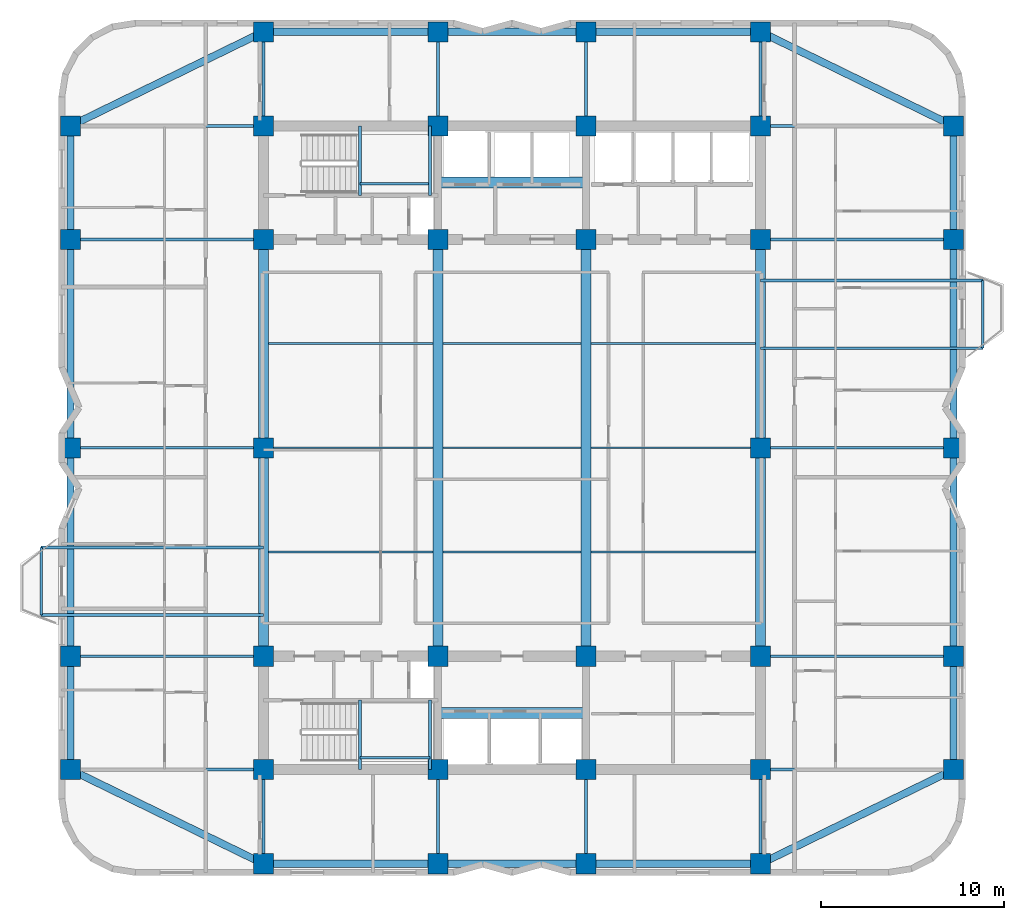
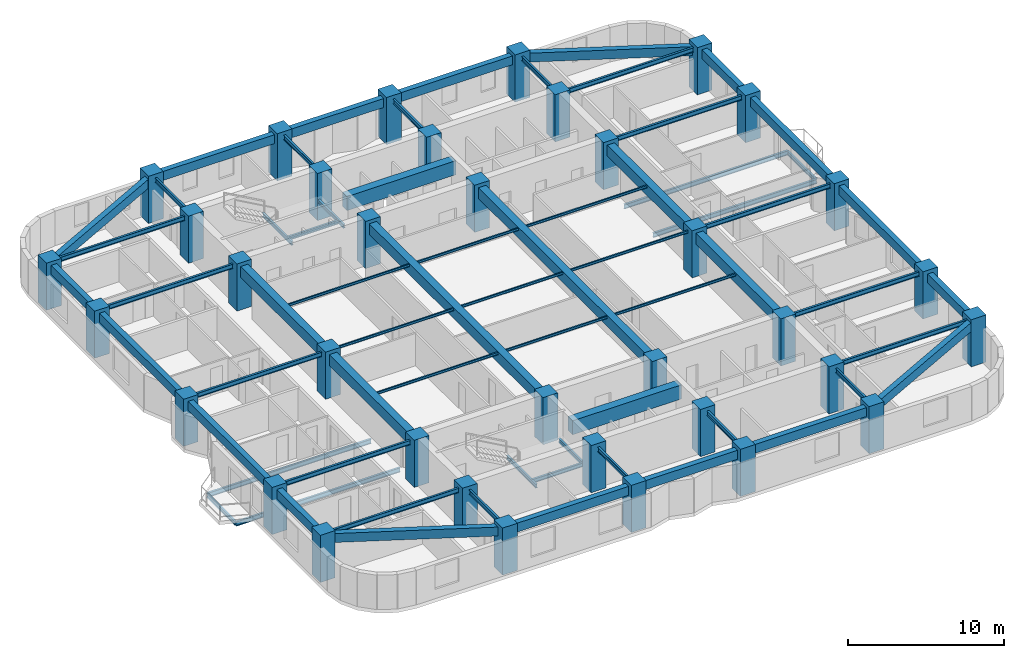
# One storey, part 1 of 9: 65 beams, 36 columns.
"""IFC4 building model written with IfcOpenShell, lengths in metres."""

from ifc_helpers import new_model, si_unit, direction, frame, origin, origin_2d, place, context, subcontext, project, spatial, rectangle, i_section, extrude, material, material_profile, profile_set, type_object, element, save


model = new_model("IFC4")

# Units and contexts
model_context = context("Model", 3, precision=1e-05, world=origin(), true_north=direction((0.0, 1.0)))
body_context = subcontext(model_context, "Body", "Model", "MODEL_VIEW")
ifc_project = project(units=[si_unit("LENGTHUNIT", "METRE"), si_unit("AREAUNIT", "SQUARE_METRE"), si_unit("VOLUMEUNIT", "CUBIC_METRE"), si_unit("PLANEANGLEUNIT", "RADIAN"), si_unit("MASSUNIT", "GRAM", prefix="KILO")], contexts=[model_context])

# Site, building, storey
site_placement = place(None, origin())
site = spatial("IfcSite", under=ifc_project, at=site_placement, CompositionType="ELEMENT")
building_placement = place(site_placement, origin())
building = spatial("IfcBuilding", under=site, at=building_placement, Name="Svetorya Sky Lyceum", CompositionType="ELEMENT")
storey_placement = place(building_placement, frame((0.0, 0.0, 103.10009765625)))
storey = spatial("IfcBuildingStorey", under=building, at=storey_placement, Name="L25", CompositionType="ELEMENT", Elevation=103.10009765625)

# Columns
ifc_material_1 = material(Name="Concrete C50/60", Category="concrete")
ifc_material_profile_1 = material_profile(ifc_material_1, rectangle(XDim=1.10009765625, YDim=1.10009765625, at=origin_2d()), Name="RC COL 1100x1100")
ifc_profile_set_1 = profile_set([ifc_material_profile_1], Name="Concrete C50/60")
column_type = type_object("IfcColumnType", Name="COL-RC-1100", PredefinedType="COLUMN", material=ifc_profile_set_1)
for number, where, z_axis, x_axis, name in (
    (1, (25.60009765625, 10.60009765625, 0.0), (0.0, 0.0, 1.0), (1.0, 0.0, 0.0), "L25 Core Column CS-11"),
    (2, (25.60009765625, 16.800048828125, 0.0), (0.0, 0.0, 1.0), (1.0, 0.0, 0.0), "L25 Core Column CS-12"),
    (3, (35.14990234375, 10.60009765625, 0.0), (0.0, 0.0, 1.0), (1.0, 0.0, 0.0), "L25 Core Column CS-21"),
    (4, (35.14990234375, 16.800048828125, 0.0), (0.0, 0.0, 1.0), (1.0, 0.0, 0.0), "L25 Core Column CS-22"),
    (5, (43.25, 10.60009765625, 0.0), (0.0, 0.0, 1.0), (1.0, 0.0, 0.0), "L25 Core Column CS-31"),
    (6, (43.25, 16.800048828125, 0.0), (0.0, 0.0, 1.0), (1.0, 0.0, 0.0), "L25 Core Column CS-32"),
    (7, (52.800048828125, 10.60009765625, 0.0), (0.0, 0.0, 1.0), (1.0, 0.0, 0.0), "L25 Core Column CS-41"),
    (8, (52.800048828125, 16.800048828125, 0.0), (0.0, 0.0, 1.0), (1.0, 0.0, 0.0), "L25 Core Column CS-42"),
    (9, (25.60009765625, 39.60009765625, 0.0), (0.0, 0.0, 1.0), (1.0, 0.0, 0.0), "L25 Core Column CN-11"),
    (10, (25.60009765625, 45.800048828125, 0.0), (0.0, 0.0, 1.0), (1.0, 0.0, 0.0), "L25 Core Column CN-12"),
    (11, (35.14990234375, 39.60009765625, 0.0), (0.0, 0.0, 1.0), (1.0, 0.0, 0.0), "L25 Core Column CN-21"),
    (12, (35.14990234375, 45.800048828125, 0.0), (0.0, 0.0, 1.0), (1.0, 0.0, 0.0), "L25 Core Column CN-22"),
    (13, (43.25, 39.60009765625, 0.0), (0.0, 0.0, 1.0), (1.0, 0.0, 0.0), "L25 Core Column CN-31"),
    (14, (43.25, 45.800048828125, 0.0), (0.0, 0.0, 1.0), (1.0, 0.0, 0.0), "L25 Core Column CN-32"),
    (15, (52.800048828125, 39.60009765625, 0.0), (0.0, 0.0, 1.0), (1.0, 0.0, 0.0), "L25 Core Column CN-41"),
    (16, (52.800048828125, 45.800048828125, 0.0), (0.0, 0.0, 1.0), (1.0, 0.0, 0.0), "L25 Core Column CN-42"),
    (17, (25.60009765625, 28.199951171875, 0.0), (0.0, 0.0, 1.0), (1.0, 0.0, 0.0), "L25 Core Column CM-W"),
    (18, (52.800048828125, 28.199951171875, 0.0), (0.0, 0.0, 1.0), (1.0, 0.0, 0.0), "L25 Core Column CM-E"),
    (19, (25.60009765625, 5.449951171875, 0.0), (0.0, 0.0, 1.0), (1.0, 0.0, 0.0), "L25 Perimeter Column S1"),
    (20, (25.60009765625, 50.949951171875, 0.0), (0.0, 0.0, 1.0), (1.0, 0.0, 0.0), "L25 Perimeter Column N1"),
    (21, (35.14990234375, 5.449951171875, 0.0), (0.0, 0.0, 1.0), (1.0, 0.0, 0.0), "L25 Perimeter Column S2"),
    (22, (35.14990234375, 50.949951171875, 0.0), (0.0, 0.0, 1.0), (1.0, 0.0, 0.0), "L25 Perimeter Column N2"),
    (23, (43.25, 5.449951171875, 0.0), (0.0, 0.0, 1.0), (1.0, 0.0, 0.0), "L25 Perimeter Column S3"),
    (24, (43.25, 50.949951171875, 0.0), (0.0, 0.0, 1.0), (1.0, 0.0, 0.0), "L25 Perimeter Column N3"),
    (25, (52.800048828125, 5.449951171875, 0.0), (0.0, 0.0, 1.0), (1.0, 0.0, 0.0), "L25 Perimeter Column S4"),
    (26, (52.800048828125, 50.949951171875, 0.0), (0.0, 0.0, 1.0), (1.0, 0.0, 0.0), "L25 Perimeter Column N4"),
    (27, (15.050048828125, 10.60009765625, 0.0), (0.0, 0.0, 1.0), (1.0, 0.0, 0.0), "L25 Perimeter Column W1"),
    (28, (63.35009765625, 10.60009765625, 0.0), (0.0, 0.0, 1.0), (1.0, 0.0, 0.0), "L25 Perimeter Column E1"),
    (29, (15.050048828125, 16.800048828125, 0.0), (0.0, 0.0, 1.0), (1.0, 0.0, 0.0), "L25 Perimeter Column W2"),
    (30, (63.35009765625, 16.800048828125, 0.0), (0.0, 0.0, 1.0), (1.0, 0.0, 0.0), "L25 Perimeter Column E2"),
    (31, (15.050048828125, 28.199951171875, 0.0), (0.0, 0.0, 1.0), (1.0, 0.0, 0.0), "L25 Perimeter Column W3"),
    (32, (63.35009765625, 28.199951171875, 0.0), (0.0, 0.0, 1.0), (1.0, 0.0, 0.0), "L25 Perimeter Column E3"),
    (33, (15.050048828125, 39.60009765625, 0.0), (0.0, 0.0, 1.0), (1.0, 0.0, 0.0), "L25 Perimeter Column W4"),
    (34, (63.35009765625, 39.60009765625, 0.0), (0.0, 0.0, 1.0), (1.0, 0.0, 0.0), "L25 Perimeter Column E4"),
    (35, (15.050048828125, 45.800048828125, 0.0), (0.0, 0.0, 1.0), (1.0, 0.0, 0.0), "L25 Perimeter Column W5"),
    (36, (63.35009765625, 45.800048828125, 0.0), (0.0, 0.0, 1.0), (1.0, 0.0, 0.0), "L25 Perimeter Column E5"),
):
    element("IfcColumn", number, at=place(storey_placement, frame(where, z_axis=z_axis, x_axis=x_axis)), inside=storey, type_object=column_type, Name=name, PredefinedType="COLUMN", context=body_context, shape_type="SweptSolid", body=[
        extrude(rectangle(XDim=1.10009765625, YDim=1.10009765625, at=origin_2d()), origin(), (0.0, 0.0, 1.0), 3.699951171875),
    ])

# Beams
ifc_material_2 = material(Name="Concrete C60/75", Category="concrete")
ifc_material_profile_2 = material_profile(ifc_material_2, rectangle(XDim=0.60009765625, YDim=1.10009765625, at=origin_2d()), Name="RC COUPLING 600x1100")
ifc_profile_set_2 = profile_set([ifc_material_profile_2], Name="Concrete C60/75")
beam_type_1 = type_object("IfcBeamType", Name="BM-CPL-1100", PredefinedType="LINTEL", material=ifc_profile_set_2)
for number, where, z_axis, x_axis, name in (
    (37, (35.14990234375, 13.699951171875, 2.869873046875), (1.0, 0.0, 0.0), (0.0, 1.0, 0.0), "L25 SC Core Coupling Beam"),
    (38, (35.14990234375, 42.699951171875, 2.869873046875), (1.0, 0.0, 0.0), (0.0, 1.0, 0.0), "L25 NC Core Coupling Beam"),
):
    element("IfcBeam", number, at=place(storey_placement, frame(where, z_axis=z_axis, x_axis=x_axis)), inside=storey, type_object=beam_type_1, Name=name, PredefinedType="LINTEL", context=body_context, shape_type="SweptSolid", body=[
        extrude(rectangle(XDim=0.60009765625, YDim=1.10009765625, at=origin_2d()), origin(), (0.0, 0.0, 1.0), 8.10009765625),
    ])
ifc_material_profile_3 = material_profile(ifc_material_1, rectangle(XDim=0.550048828125, YDim=0.85009765625, at=origin_2d()), Name="RC BEAM 550x850")
ifc_profile_set_3 = profile_set([ifc_material_profile_3], Name="Concrete C50/60")
beam_type_2 = type_object("IfcBeamType", Name="BM-RC-850", PredefinedType="BEAM", material=ifc_profile_set_3)
beam_1_placement = place(storey_placement, frame((25.60009765625, 16.800048828125, 2.994873046875), z_axis=(0.0, 1.0, 0.0), x_axis=(-1.0, 0.0, 0.0)))
element("IfcBeam", 39, at=beam_1_placement, inside=storey, type_object=beam_type_2, Name="L25 Central Bay Primary Girder CG-1A", PredefinedType="BEAM", context=body_context, shape_type="SweptSolid", body=[
    extrude(rectangle(XDim=0.550048828125, YDim=0.85009765625, at=origin_2d()), origin(), (0.0, 0.0, 1.0), 11.39990234375),
])
beam_2_placement = place(storey_placement, frame((25.60009765625, 28.199951171875, 2.994873046875), z_axis=(0.0, 1.0, 0.0), x_axis=(-1.0, 0.0, 0.0)))
element("IfcBeam", 40, at=beam_2_placement, inside=storey, type_object=beam_type_2, Name="L25 Central Bay Primary Girder CG-1B", PredefinedType="BEAM", context=body_context, shape_type="SweptSolid", body=[
    extrude(rectangle(XDim=0.550048828125, YDim=0.85009765625, at=origin_2d()), origin(), (0.0, 0.0, 1.0), 11.400146484375),
])
for number, where, z_axis, x_axis, name in (
    (41, (35.14990234375, 16.800048828125, 2.994873046875), (0.0, 1.0, 0.0), (-1.0, 0.0, 0.0), "L25 Central Bay Primary Girder CG-2"),
    (42, (43.25, 16.800048828125, 2.994873046875), (0.0, 1.0, 0.0), (-1.0, 0.0, 0.0), "L25 Central Bay Primary Girder CG-3"),
):
    element("IfcBeam", number, at=place(storey_placement, frame(where, z_axis=z_axis, x_axis=x_axis)), inside=storey, type_object=beam_type_2, Name=name, PredefinedType="BEAM", context=body_context, shape_type="SweptSolid", body=[
        extrude(rectangle(XDim=0.550048828125, YDim=0.85009765625, at=origin_2d()), origin(), (0.0, 0.0, 1.0), 22.800048828125),
    ])
beam_3_placement = place(storey_placement, frame((52.800048828125, 16.800048828125, 2.994873046875), z_axis=(0.0, 1.0, 0.0), x_axis=(-1.0, 0.0, 0.0)))
element("IfcBeam", 43, at=beam_3_placement, inside=storey, type_object=beam_type_2, Name="L25 Central Bay Primary Girder CG-4A", PredefinedType="BEAM", context=body_context, shape_type="SweptSolid", body=[
    extrude(rectangle(XDim=0.550048828125, YDim=0.85009765625, at=origin_2d()), origin(), (0.0, 0.0, 1.0), 11.39990234375),
])
beam_4_placement = place(storey_placement, frame((52.800048828125, 28.199951171875, 2.994873046875), z_axis=(0.0, 1.0, 0.0), x_axis=(-1.0, 0.0, 0.0)))
element("IfcBeam", 44, at=beam_4_placement, inside=storey, type_object=beam_type_2, Name="L25 Central Bay Primary Girder CG-4B", PredefinedType="BEAM", context=body_context, shape_type="SweptSolid", body=[
    extrude(rectangle(XDim=0.550048828125, YDim=0.85009765625, at=origin_2d()), origin(), (0.0, 0.0, 1.0), 11.400146484375),
])
ifc_material_profile_4 = material_profile(ifc_material_1, rectangle(XDim=0.39990234375, YDim=0.699951171875, at=origin_2d()), Name="RC SPANDREL 400x700")
ifc_profile_set_4 = profile_set([ifc_material_profile_4], Name="Concrete C50/60")
beam_type_3 = type_object("IfcBeamType", Name="BM-SPN-700", PredefinedType="SPANDREL", material=ifc_profile_set_4)
beam_5_placement = place(storey_placement, frame((25.60009765625, 5.449951171875, 3.06982421875), z_axis=(1.0, 0.0, 0.0), x_axis=(0.0, 1.0, 0.0)))
element("IfcBeam", 45, at=beam_5_placement, inside=storey, type_object=beam_type_3, Name="L25 South Spandrel 1", PredefinedType="SPANDREL", context=body_context, shape_type="SweptSolid", body=[
    extrude(rectangle(XDim=0.39990234375, YDim=0.699951171875, at=origin_2d()), origin(), (0.0, 0.0, 1.0), 9.5498046875),
])
beam_6_placement = place(storey_placement, frame((35.14990234375, 5.449951171875, 3.06982421875), z_axis=(1.0, 0.0, 0.0), x_axis=(0.0, 1.0, 0.0)))
element("IfcBeam", 46, at=beam_6_placement, inside=storey, type_object=beam_type_3, Name="L25 South Spandrel 2", PredefinedType="SPANDREL", context=body_context, shape_type="SweptSolid", body=[
    extrude(rectangle(XDim=0.39990234375, YDim=0.699951171875, at=origin_2d()), origin(), (0.0, 0.0, 1.0), 8.10009765625),
])
beam_7_placement = place(storey_placement, frame((43.25, 5.449951171875, 3.06982421875), z_axis=(1.0, 0.0, 0.0), x_axis=(0.0, 1.0, 0.0)))
element("IfcBeam", 47, at=beam_7_placement, inside=storey, type_object=beam_type_3, Name="L25 South Spandrel 3", PredefinedType="SPANDREL", context=body_context, shape_type="SweptSolid", body=[
    extrude(rectangle(XDim=0.39990234375, YDim=0.699951171875, at=origin_2d()), origin(), (0.0, 0.0, 1.0), 9.550048828125),
])
beam_8_placement = place(storey_placement, frame((25.60009765625, 50.949951171875, 3.06982421875), z_axis=(1.0, 0.0, 0.0), x_axis=(0.0, 1.0, 0.0)))
element("IfcBeam", 48, at=beam_8_placement, inside=storey, type_object=beam_type_3, Name="L25 North Spandrel 1", PredefinedType="SPANDREL", context=body_context, shape_type="SweptSolid", body=[
    extrude(rectangle(XDim=0.39990234375, YDim=0.699951171875, at=origin_2d()), origin(), (0.0, 0.0, 1.0), 9.5498046875),
])
beam_9_placement = place(storey_placement, frame((35.14990234375, 50.949951171875, 3.06982421875), z_axis=(1.0, 0.0, 0.0), x_axis=(0.0, 1.0, 0.0)))
element("IfcBeam", 49, at=beam_9_placement, inside=storey, type_object=beam_type_3, Name="L25 North Spandrel 2", PredefinedType="SPANDREL", context=body_context, shape_type="SweptSolid", body=[
    extrude(rectangle(XDim=0.39990234375, YDim=0.699951171875, at=origin_2d()), origin(), (0.0, 0.0, 1.0), 8.10009765625),
])
beam_10_placement = place(storey_placement, frame((43.25, 50.949951171875, 3.06982421875), z_axis=(1.0, 0.0, 0.0), x_axis=(0.0, 1.0, 0.0)))
element("IfcBeam", 50, at=beam_10_placement, inside=storey, type_object=beam_type_3, Name="L25 North Spandrel 3", PredefinedType="SPANDREL", context=body_context, shape_type="SweptSolid", body=[
    extrude(rectangle(XDim=0.39990234375, YDim=0.699951171875, at=origin_2d()), origin(), (0.0, 0.0, 1.0), 9.550048828125),
])
for number, where, z_axis, x_axis, name in (
    (51, (25.60009765625, 5.449951171875, 3.06982421875), (-0.898641495694, 0.438683783854, 0.0), (-0.438683783854, -0.898641495694, 0.0), "L25 Corner Spandrel 1"),
    (52, (52.800048828125, 5.449951171875, 3.06982421875), (0.898641495694, 0.438683783854, 0.0), (-0.438683783854, 0.898641495694, 0.0), "L25 Corner Spandrel 2"),
    (53, (63.35009765625, 45.800048828125, 3.06982421875), (-0.898649693653, 0.438666989978, 0.0), (-0.438666989978, -0.898649693653, 0.0), "L25 Corner Spandrel 3"),
    (54, (15.050048828125, 45.800048828125, 3.06982421875), (0.898649693653, 0.438666989978, 0.0), (-0.438666989978, 0.898649693653, 0.0), "L25 Corner Spandrel 4"),
):
    element("IfcBeam", number, at=place(storey_placement, frame(where, z_axis=z_axis, x_axis=x_axis)), inside=storey, type_object=beam_type_3, Name=name, PredefinedType="SPANDREL", context=body_context, shape_type="SweptSolid", body=[
        extrude(rectangle(XDim=0.39990234375, YDim=0.699951171875, at=origin_2d()), origin(), (0.0, 0.0, 1.0), 11.739990234375),
    ])
beam_11_placement = place(storey_placement, frame((15.050048828125, 10.60009765625, 3.06982421875), z_axis=(0.0, 1.0, 0.0), x_axis=(-1.0, 0.0, 0.0)))
element("IfcBeam", 55, at=beam_11_placement, inside=storey, type_object=beam_type_3, Name="L25 West Spandrel 1", PredefinedType="SPANDREL", context=body_context, shape_type="SweptSolid", body=[
    extrude(rectangle(XDim=0.39990234375, YDim=0.699951171875, at=origin_2d()), origin(), (0.0, 0.0, 1.0), 6.199951171875),
])
beam_12_placement = place(storey_placement, frame((15.050048828125, 16.800048828125, 3.06982421875), z_axis=(0.0, 1.0, 0.0), x_axis=(-1.0, 0.0, 0.0)))
element("IfcBeam", 56, at=beam_12_placement, inside=storey, type_object=beam_type_3, Name="L25 West Spandrel 2", PredefinedType="SPANDREL", context=body_context, shape_type="SweptSolid", body=[
    extrude(rectangle(XDim=0.39990234375, YDim=0.699951171875, at=origin_2d()), origin(), (0.0, 0.0, 1.0), 11.39990234375),
])
beam_13_placement = place(storey_placement, frame((15.050048828125, 28.199951171875, 3.06982421875), z_axis=(0.0, 1.0, 0.0), x_axis=(-1.0, 0.0, 0.0)))
element("IfcBeam", 57, at=beam_13_placement, inside=storey, type_object=beam_type_3, Name="L25 West Spandrel 3", PredefinedType="SPANDREL", context=body_context, shape_type="SweptSolid", body=[
    extrude(rectangle(XDim=0.39990234375, YDim=0.699951171875, at=origin_2d()), origin(), (0.0, 0.0, 1.0), 11.400146484375),
])
for number, where, z_axis, x_axis, name in (
    (58, (15.050048828125, 39.60009765625, 3.06982421875), (0.0, 1.0, 0.0), (-1.0, 0.0, 0.0), "L25 West Spandrel 4"),
    (59, (63.35009765625, 10.60009765625, 3.06982421875), (0.0, 1.0, 0.0), (-1.0, 0.0, 0.0), "L25 East Spandrel 1"),
):
    element("IfcBeam", number, at=place(storey_placement, frame(where, z_axis=z_axis, x_axis=x_axis)), inside=storey, type_object=beam_type_3, Name=name, PredefinedType="SPANDREL", context=body_context, shape_type="SweptSolid", body=[
        extrude(rectangle(XDim=0.39990234375, YDim=0.699951171875, at=origin_2d()), origin(), (0.0, 0.0, 1.0), 6.199951171875),
    ])
beam_14_placement = place(storey_placement, frame((63.35009765625, 16.800048828125, 3.06982421875), z_axis=(0.0, 1.0, 0.0), x_axis=(-1.0, 0.0, 0.0)))
element("IfcBeam", 60, at=beam_14_placement, inside=storey, type_object=beam_type_3, Name="L25 East Spandrel 2", PredefinedType="SPANDREL", context=body_context, shape_type="SweptSolid", body=[
    extrude(rectangle(XDim=0.39990234375, YDim=0.699951171875, at=origin_2d()), origin(), (0.0, 0.0, 1.0), 11.39990234375),
])
beam_15_placement = place(storey_placement, frame((63.35009765625, 28.199951171875, 3.06982421875), z_axis=(0.0, 1.0, 0.0), x_axis=(-1.0, 0.0, 0.0)))
element("IfcBeam", 61, at=beam_15_placement, inside=storey, type_object=beam_type_3, Name="L25 East Spandrel 3", PredefinedType="SPANDREL", context=body_context, shape_type="SweptSolid", body=[
    extrude(rectangle(XDim=0.39990234375, YDim=0.699951171875, at=origin_2d()), origin(), (0.0, 0.0, 1.0), 11.400146484375),
])
beam_16_placement = place(storey_placement, frame((63.35009765625, 39.60009765625, 3.06982421875), z_axis=(0.0, 1.0, 0.0), x_axis=(-1.0, 0.0, 0.0)))
element("IfcBeam", 62, at=beam_16_placement, inside=storey, type_object=beam_type_3, Name="L25 East Spandrel 4", PredefinedType="SPANDREL", context=body_context, shape_type="SweptSolid", body=[
    extrude(rectangle(XDim=0.39990234375, YDim=0.699951171875, at=origin_2d()), origin(), (0.0, 0.0, 1.0), 6.199951171875),
])
ifc_material_3 = material(Name="Steel S355", Category="steel")
ifc_material_profile_5 = material_profile(ifc_material_3, i_section(OverallWidth=0.10009765625, OverallDepth=0.199951171875, WebThickness=0.005615234375, FlangeThickness=0.008544921875, at=origin_2d()), Name="GOST 20B1")
ifc_profile_set_5 = profile_set([ifc_material_profile_5], Name="Steel S355")
beam_type_4 = type_object("IfcBeamType", Name="BM-STL-20B1", PredefinedType="JOIST", material=ifc_profile_set_5)
beam_17_placement = place(storey_placement, frame((25.875, 22.5, 3.31982421875), z_axis=(1.0, 0.0, 0.0), x_axis=(0.0, 1.0, 0.0)))
element("IfcBeam", 63, at=beam_17_placement, inside=storey, type_object=beam_type_4, Name="L25 Central Floor Joist CJ-1.1", PredefinedType="JOIST", context=body_context, shape_type="SweptSolid", body=[
    extrude(i_section(OverallWidth=0.10009765625, OverallDepth=0.199951171875, WebThickness=0.005615234375, FlangeThickness=0.008544921875, at=origin_2d()), origin(), (0.0, 0.0, 1.0), 9.0),
])
beam_18_placement = place(storey_placement, frame((35.425048828125, 22.5, 3.31982421875), z_axis=(1.0, 0.0, 0.0), x_axis=(0.0, 1.0, 0.0)))
element("IfcBeam", 64, at=beam_18_placement, inside=storey, type_object=beam_type_4, Name="L25 Central Floor Joist CJ-1.2", PredefinedType="JOIST", context=body_context, shape_type="SweptSolid", body=[
    extrude(i_section(OverallWidth=0.10009765625, OverallDepth=0.199951171875, WebThickness=0.005615234375, FlangeThickness=0.008544921875, at=origin_2d()), origin(), (0.0, 0.0, 1.0), 7.550048828125),
])
for number, where, z_axis, x_axis, name in (
    (65, (43.52490234375, 22.5, 3.31982421875), (1.0, 0.0, 0.0), (0.0, 1.0, 0.0), "L25 Central Floor Joist CJ-1.3"),
    (66, (25.875, 28.199951171875, 3.31982421875), (1.0, 0.0, 0.0), (0.0, 1.0, 0.0), "L25 Central Floor Joist CJ-2.1"),
):
    element("IfcBeam", number, at=place(storey_placement, frame(where, z_axis=z_axis, x_axis=x_axis)), inside=storey, type_object=beam_type_4, Name=name, PredefinedType="JOIST", context=body_context, shape_type="SweptSolid", body=[
        extrude(i_section(OverallWidth=0.10009765625, OverallDepth=0.199951171875, WebThickness=0.005615234375, FlangeThickness=0.008544921875, at=origin_2d()), origin(), (0.0, 0.0, 1.0), 9.0),
    ])
beam_19_placement = place(storey_placement, frame((35.425048828125, 28.199951171875, 3.31982421875), z_axis=(1.0, 0.0, 0.0), x_axis=(0.0, 1.0, 0.0)))
element("IfcBeam", 67, at=beam_19_placement, inside=storey, type_object=beam_type_4, Name="L25 Central Floor Joist CJ-2.2", PredefinedType="JOIST", context=body_context, shape_type="SweptSolid", body=[
    extrude(i_section(OverallWidth=0.10009765625, OverallDepth=0.199951171875, WebThickness=0.005615234375, FlangeThickness=0.008544921875, at=origin_2d()), origin(), (0.0, 0.0, 1.0), 7.550048828125),
])
for number, where, z_axis, x_axis, name in (
    (68, (43.52490234375, 28.199951171875, 3.31982421875), (1.0, 0.0, 0.0), (0.0, 1.0, 0.0), "L25 Central Floor Joist CJ-2.3"),
    (69, (25.875, 33.89990234375, 3.31982421875), (1.0, 0.0, 0.0), (0.0, 1.0, 0.0), "L25 Central Floor Joist CJ-3.1"),
):
    element("IfcBeam", number, at=place(storey_placement, frame(where, z_axis=z_axis, x_axis=x_axis)), inside=storey, type_object=beam_type_4, Name=name, PredefinedType="JOIST", context=body_context, shape_type="SweptSolid", body=[
        extrude(i_section(OverallWidth=0.10009765625, OverallDepth=0.199951171875, WebThickness=0.005615234375, FlangeThickness=0.008544921875, at=origin_2d()), origin(), (0.0, 0.0, 1.0), 9.0),
    ])
beam_20_placement = place(storey_placement, frame((35.425048828125, 33.89990234375, 3.31982421875), z_axis=(1.0, 0.0, 0.0), x_axis=(0.0, 1.0, 0.0)))
element("IfcBeam", 70, at=beam_20_placement, inside=storey, type_object=beam_type_4, Name="L25 Central Floor Joist CJ-3.2", PredefinedType="JOIST", context=body_context, shape_type="SweptSolid", body=[
    extrude(i_section(OverallWidth=0.10009765625, OverallDepth=0.199951171875, WebThickness=0.005615234375, FlangeThickness=0.008544921875, at=origin_2d()), origin(), (0.0, 0.0, 1.0), 7.550048828125),
])
beam_21_placement = place(storey_placement, frame((43.52490234375, 33.89990234375, 3.31982421875), z_axis=(1.0, 0.0, 0.0), x_axis=(0.0, 1.0, 0.0)))
element("IfcBeam", 71, at=beam_21_placement, inside=storey, type_object=beam_type_4, Name="L25 Central Floor Joist CJ-3.3", PredefinedType="JOIST", context=body_context, shape_type="SweptSolid", body=[
    extrude(i_section(OverallWidth=0.10009765625, OverallDepth=0.199951171875, WebThickness=0.005615234375, FlangeThickness=0.008544921875, at=origin_2d()), origin(), (0.0, 0.0, 1.0), 9.0),
])
ifc_material_profile_6 = material_profile(ifc_material_3, i_section(OverallWidth=0.14990234375, OverallDepth=0.299072265625, WebThickness=0.006591796875, FlangeThickness=0.010498046875, at=origin_2d()), Name="GOST 30B2")
ifc_profile_set_6 = profile_set([ifc_material_profile_6], Name="Steel S355")
beam_type_5 = type_object("IfcBeamType", Name="BM-STL-30B2", PredefinedType="JOIST", material=ifc_profile_set_6)
beam_22_placement = place(storey_placement, frame((13.449951171875, 19.050048828125, -0.45458984375), z_axis=(0.0, 1.0, 0.0), x_axis=(-1.0, 0.0, 0.0)))
element("IfcBeam", 72, at=beam_22_placement, inside=storey, type_object=beam_type_5, Name="L25 Balcony Edge Tie BAL-W1", PredefinedType="JOIST", context=body_context, shape_type="SweptSolid", body=[
    extrude(i_section(OverallWidth=0.14990234375, OverallDepth=0.299072265625, WebThickness=0.006591796875, FlangeThickness=0.010498046875, at=origin_2d()), origin(), (0.0, 0.0, 1.0), 3.699951171875),
])
beam_23_placement = place(storey_placement, frame((64.949951171875, 33.64990234375, -0.45458984375), z_axis=(0.0, 1.0, 0.0), x_axis=(-1.0, 0.0, 0.0)))
element("IfcBeam", 73, at=beam_23_placement, inside=storey, type_object=beam_type_5, Name="L25 Balcony Edge Tie BAL-E1", PredefinedType="JOIST", context=body_context, shape_type="SweptSolid", body=[
    extrude(i_section(OverallWidth=0.14990234375, OverallDepth=0.299072265625, WebThickness=0.006591796875, FlangeThickness=0.010498046875, at=origin_2d()), origin(), (0.0, 0.0, 1.0), 3.7001953125),
])
for number, where, z_axis, x_axis, name in (
    (74, (30.8798828125, 10.60009765625, 1.50048828125), (0.0, 1.0, 0.0), (-1.0, 0.0, 0.0), "L25 Stair ST-S Half-Landing Support Beam 29.1"),
    (75, (34.719970703125, 10.60009765625, 1.50048828125), (0.0, 1.0, 0.0), (-1.0, 0.0, 0.0), "L25 Stair ST-S Half-Landing Support Beam 29.2"),
):
    element("IfcBeam", number, at=place(storey_placement, frame(where, z_axis=z_axis, x_axis=x_axis)), inside=storey, type_object=beam_type_5, Name=name, PredefinedType="JOIST", context=body_context, shape_type="SweptSolid", body=[
        extrude(i_section(OverallWidth=0.14990234375, OverallDepth=0.299072265625, WebThickness=0.006591796875, FlangeThickness=0.010498046875, at=origin_2d()), origin(), (0.0, 0.0, 1.0), 3.7998046875),
    ])
beam_24_placement = place(storey_placement, frame((30.8798828125, 11.25, 1.50048828125), z_axis=(1.0, 0.0, 0.0), x_axis=(0.0, 1.0, 0.0)))
element("IfcBeam", 76, at=beam_24_placement, inside=storey, type_object=beam_type_5, Name="L25 Stair ST-S Half-Landing Cross Tie 29", PredefinedType="JOIST", context=body_context, shape_type="SweptSolid", body=[
    extrude(i_section(OverallWidth=0.14990234375, OverallDepth=0.299072265625, WebThickness=0.006591796875, FlangeThickness=0.010498046875, at=origin_2d()), origin(), (0.0, 0.0, 1.0), 3.840087890625),
])
for number, where, z_axis, x_axis, name in (
    (77, (30.8798828125, 42.0, 1.50048828125), (0.0, 1.0, 0.0), (-1.0, 0.0, 0.0), "L25 Stair ST-N Half-Landing Support Beam 29.1"),
    (78, (34.719970703125, 42.0, 1.50048828125), (0.0, 1.0, 0.0), (-1.0, 0.0, 0.0), "L25 Stair ST-N Half-Landing Support Beam 29.2"),
):
    element("IfcBeam", number, at=place(storey_placement, frame(where, z_axis=z_axis, x_axis=x_axis)), inside=storey, type_object=beam_type_5, Name=name, PredefinedType="JOIST", context=body_context, shape_type="SweptSolid", body=[
        extrude(i_section(OverallWidth=0.14990234375, OverallDepth=0.299072265625, WebThickness=0.006591796875, FlangeThickness=0.010498046875, at=origin_2d()), origin(), (0.0, 0.0, 1.0), 3.800048828125),
    ])
beam_25_placement = place(storey_placement, frame((30.8798828125, 42.64990234375, 1.50048828125), z_axis=(1.0, 0.0, 0.0), x_axis=(0.0, 1.0, 0.0)))
element("IfcBeam", 79, at=beam_25_placement, inside=storey, type_object=beam_type_5, Name="L25 Stair ST-N Half-Landing Cross Tie 29", PredefinedType="JOIST", context=body_context, shape_type="SweptSolid", body=[
    extrude(i_section(OverallWidth=0.14990234375, OverallDepth=0.299072265625, WebThickness=0.006591796875, FlangeThickness=0.010498046875, at=origin_2d()), origin(), (0.0, 0.0, 1.0), 3.840087890625),
])
ifc_material_profile_7 = material_profile(ifc_material_3, i_section(OverallWidth=0.155029296875, OverallDepth=0.34912109375, WebThickness=0.007080078125, FlangeThickness=0.011474609375, at=origin_2d()), Name="GOST 35B2")
ifc_profile_set_7 = profile_set([ifc_material_profile_7], Name="Steel S355")
beam_type_6 = type_object("IfcBeamType", Name="BM-STL-35B2", PredefinedType="JOIST", material=ifc_profile_set_7)
for number, where, z_axis, x_axis, name in (
    (80, (25.60009765625, 19.050048828125, -0.45458984375), (-1.0, 0.0, 0.0), (0.0, -1.0, 0.0), "L25 Balcony Cantilever Beam BAL-W1-1"),
    (81, (25.60009765625, 22.75, -0.45458984375), (-1.0, 0.0, 0.0), (0.0, -1.0, 0.0), "L25 Balcony Cantilever Beam BAL-W1-2"),
):
    element("IfcBeam", number, at=place(storey_placement, frame(where, z_axis=z_axis, x_axis=x_axis)), inside=storey, type_object=beam_type_6, Name=name, PredefinedType="JOIST", context=body_context, shape_type="SweptSolid", body=[
        extrude(i_section(OverallWidth=0.155029296875, OverallDepth=0.34912109375, WebThickness=0.007080078125, FlangeThickness=0.011474609375, at=origin_2d()), origin(), (0.0, 0.0, 1.0), 12.150146484375),
    ])
for number, where, z_axis, x_axis, name in (
    (82, (52.800048828125, 33.64990234375, -0.45458984375), (1.0, 0.0, 0.0), (0.0, 1.0, 0.0), "L25 Balcony Cantilever Beam BAL-E1-1"),
    (83, (52.800048828125, 37.35009765625, -0.45458984375), (1.0, 0.0, 0.0), (0.0, 1.0, 0.0), "L25 Balcony Cantilever Beam BAL-E1-2"),
):
    element("IfcBeam", number, at=place(storey_placement, frame(where, z_axis=z_axis, x_axis=x_axis)), inside=storey, type_object=beam_type_6, Name=name, PredefinedType="JOIST", context=body_context, shape_type="SweptSolid", body=[
        extrude(i_section(OverallWidth=0.155029296875, OverallDepth=0.34912109375, WebThickness=0.007080078125, FlangeThickness=0.011474609375, at=origin_2d()), origin(), (0.0, 0.0, 1.0), 12.14990234375),
    ])
for number, where, z_axis, x_axis, name in (
    (84, (15.050048828125, 10.60009765625, 3.245361328125), (1.0, 0.0, 0.0), (0.0, 1.0, 0.0), "L25 West Wing Floor Joist W1"),
    (85, (52.800048828125, 10.60009765625, 3.245361328125), (1.0, 0.0, 0.0), (0.0, 1.0, 0.0), "L25 East Wing Floor Joist E1"),
    (86, (15.050048828125, 16.800048828125, 3.245361328125), (1.0, 0.0, 0.0), (0.0, 1.0, 0.0), "L25 West Wing Floor Joist W2"),
    (87, (52.800048828125, 16.800048828125, 3.245361328125), (1.0, 0.0, 0.0), (0.0, 1.0, 0.0), "L25 East Wing Floor Joist E2"),
    (88, (15.050048828125, 28.199951171875, 3.245361328125), (1.0, 0.0, 0.0), (0.0, 1.0, 0.0), "L25 West Wing Floor Joist W3"),
    (89, (52.800048828125, 28.199951171875, 3.245361328125), (1.0, 0.0, 0.0), (0.0, 1.0, 0.0), "L25 East Wing Floor Joist E3"),
    (90, (15.050048828125, 39.60009765625, 3.245361328125), (1.0, 0.0, 0.0), (0.0, 1.0, 0.0), "L25 West Wing Floor Joist W4"),
    (91, (52.800048828125, 39.60009765625, 3.245361328125), (1.0, 0.0, 0.0), (0.0, 1.0, 0.0), "L25 East Wing Floor Joist E4"),
    (92, (15.050048828125, 45.800048828125, 3.245361328125), (1.0, 0.0, 0.0), (0.0, 1.0, 0.0), "L25 West Wing Floor Joist W5"),
    (93, (52.800048828125, 45.800048828125, 3.245361328125), (1.0, 0.0, 0.0), (0.0, 1.0, 0.0), "L25 East Wing Floor Joist E5"),
):
    element("IfcBeam", number, at=place(storey_placement, frame(where, z_axis=z_axis, x_axis=x_axis)), inside=storey, type_object=beam_type_6, Name=name, PredefinedType="JOIST", context=body_context, shape_type="SweptSolid", body=[
        extrude(i_section(OverallWidth=0.155029296875, OverallDepth=0.34912109375, WebThickness=0.007080078125, FlangeThickness=0.011474609375, at=origin_2d()), origin(), (0.0, 0.0, 1.0), 10.550048828125),
    ])
beam_26_placement = place(storey_placement, frame((25.60009765625, 5.449951171875, 3.245361328125), z_axis=(0.0, 1.0, 0.0), x_axis=(-1.0, 0.0, 0.0)))
element("IfcBeam", 94, at=beam_26_placement, inside=storey, type_object=beam_type_6, Name="L25 South Bay Floor Girder S1", PredefinedType="JOIST", context=body_context, shape_type="SweptSolid", body=[
    extrude(i_section(OverallWidth=0.155029296875, OverallDepth=0.34912109375, WebThickness=0.007080078125, FlangeThickness=0.011474609375, at=origin_2d()), origin(), (0.0, 0.0, 1.0), 5.150146484375),
])
beam_27_placement = place(storey_placement, frame((25.60009765625, 45.800048828125, 3.245361328125), z_axis=(0.0, 1.0, 0.0), x_axis=(-1.0, 0.0, 0.0)))
element("IfcBeam", 95, at=beam_27_placement, inside=storey, type_object=beam_type_6, Name="L25 North Bay Floor Girder N1", PredefinedType="JOIST", context=body_context, shape_type="SweptSolid", body=[
    extrude(i_section(OverallWidth=0.155029296875, OverallDepth=0.34912109375, WebThickness=0.007080078125, FlangeThickness=0.011474609375, at=origin_2d()), origin(), (0.0, 0.0, 1.0), 5.14990234375),
])
beam_28_placement = place(storey_placement, frame((35.14990234375, 5.449951171875, 3.245361328125), z_axis=(0.0, 1.0, 0.0), x_axis=(-1.0, 0.0, 0.0)))
element("IfcBeam", 96, at=beam_28_placement, inside=storey, type_object=beam_type_6, Name="L25 South Bay Floor Girder S2", PredefinedType="JOIST", context=body_context, shape_type="SweptSolid", body=[
    extrude(i_section(OverallWidth=0.155029296875, OverallDepth=0.34912109375, WebThickness=0.007080078125, FlangeThickness=0.011474609375, at=origin_2d()), origin(), (0.0, 0.0, 1.0), 5.150146484375),
])
beam_29_placement = place(storey_placement, frame((35.14990234375, 45.800048828125, 3.245361328125), z_axis=(0.0, 1.0, 0.0), x_axis=(-1.0, 0.0, 0.0)))
element("IfcBeam", 97, at=beam_29_placement, inside=storey, type_object=beam_type_6, Name="L25 North Bay Floor Girder N2", PredefinedType="JOIST", context=body_context, shape_type="SweptSolid", body=[
    extrude(i_section(OverallWidth=0.155029296875, OverallDepth=0.34912109375, WebThickness=0.007080078125, FlangeThickness=0.011474609375, at=origin_2d()), origin(), (0.0, 0.0, 1.0), 5.14990234375),
])
beam_30_placement = place(storey_placement, frame((43.25, 5.449951171875, 3.245361328125), z_axis=(0.0, 1.0, 0.0), x_axis=(-1.0, 0.0, 0.0)))
element("IfcBeam", 98, at=beam_30_placement, inside=storey, type_object=beam_type_6, Name="L25 South Bay Floor Girder S3", PredefinedType="JOIST", context=body_context, shape_type="SweptSolid", body=[
    extrude(i_section(OverallWidth=0.155029296875, OverallDepth=0.34912109375, WebThickness=0.007080078125, FlangeThickness=0.011474609375, at=origin_2d()), origin(), (0.0, 0.0, 1.0), 5.150146484375),
])
beam_31_placement = place(storey_placement, frame((43.25, 45.800048828125, 3.245361328125), z_axis=(0.0, 1.0, 0.0), x_axis=(-1.0, 0.0, 0.0)))
element("IfcBeam", 99, at=beam_31_placement, inside=storey, type_object=beam_type_6, Name="L25 North Bay Floor Girder N3", PredefinedType="JOIST", context=body_context, shape_type="SweptSolid", body=[
    extrude(i_section(OverallWidth=0.155029296875, OverallDepth=0.34912109375, WebThickness=0.007080078125, FlangeThickness=0.011474609375, at=origin_2d()), origin(), (0.0, 0.0, 1.0), 5.14990234375),
])
beam_32_placement = place(storey_placement, frame((52.800048828125, 5.449951171875, 3.245361328125), z_axis=(0.0, 1.0, 0.0), x_axis=(-1.0, 0.0, 0.0)))
element("IfcBeam", 100, at=beam_32_placement, inside=storey, type_object=beam_type_6, Name="L25 South Bay Floor Girder S4", PredefinedType="JOIST", context=body_context, shape_type="SweptSolid", body=[
    extrude(i_section(OverallWidth=0.155029296875, OverallDepth=0.34912109375, WebThickness=0.007080078125, FlangeThickness=0.011474609375, at=origin_2d()), origin(), (0.0, 0.0, 1.0), 5.150146484375),
])
beam_33_placement = place(storey_placement, frame((52.800048828125, 45.800048828125, 3.245361328125), z_axis=(0.0, 1.0, 0.0), x_axis=(-1.0, 0.0, 0.0)))
element("IfcBeam", 101, at=beam_33_placement, inside=storey, type_object=beam_type_6, Name="L25 North Bay Floor Girder N4", PredefinedType="JOIST", context=body_context, shape_type="SweptSolid", body=[
    extrude(i_section(OverallWidth=0.155029296875, OverallDepth=0.34912109375, WebThickness=0.007080078125, FlangeThickness=0.011474609375, at=origin_2d()), origin(), (0.0, 0.0, 1.0), 5.14990234375),
])

save(model, "model.ifc")
